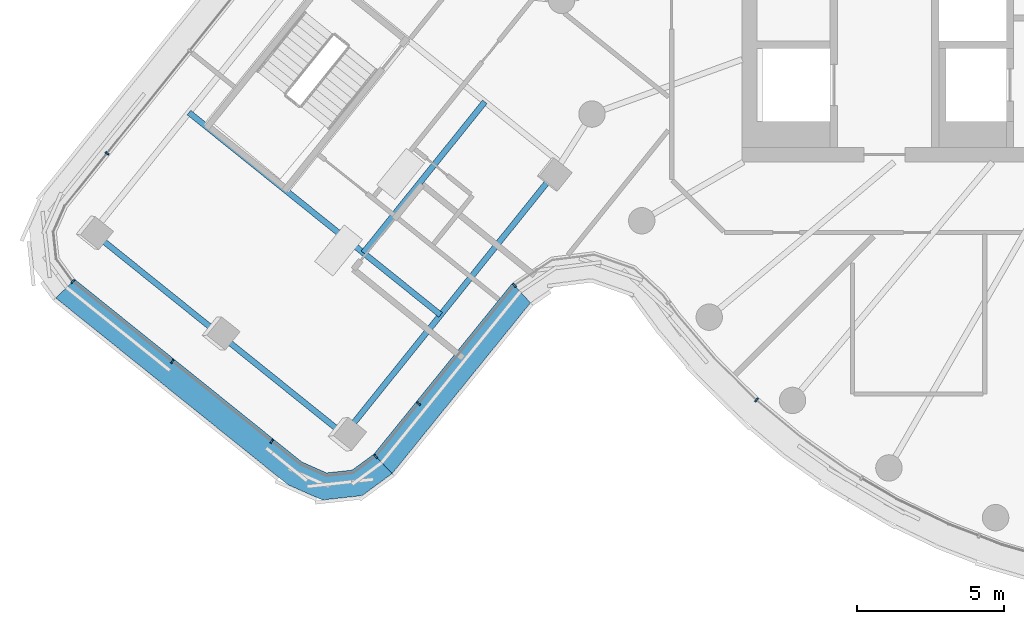
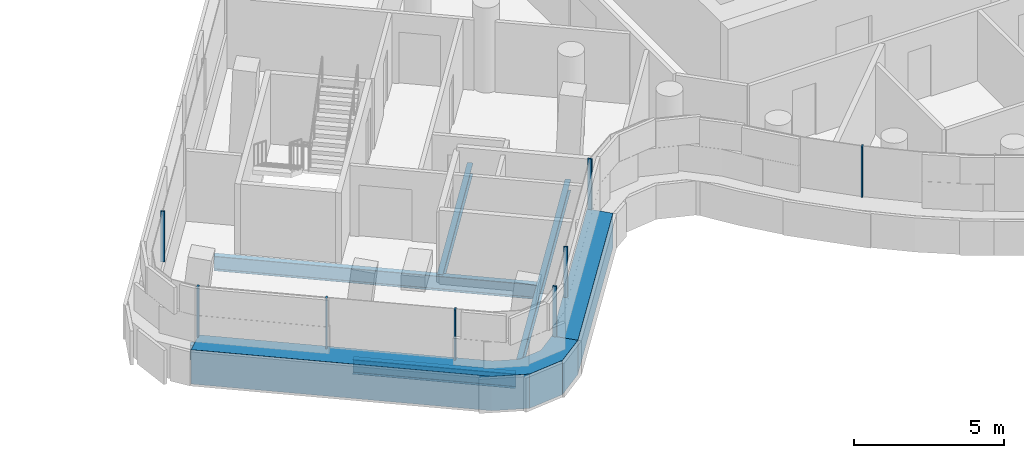
# One storey, part 2 of 25: 10 members, 5 beams, 4 elements without a shape of their own.
"""IFC4 building model written with IfcOpenShell, lengths in metres."""

from ifc_helpers import new_model, si_unit, direction, frame, origin, origin_2d, place, context, subcontext, project, spatial, polyline, rectangle, i_section, outline, extrude, material, layer, layer_set, material_profile, profile_set, type_object, element, aggregate, save


model = new_model("IFC4")

# Units and contexts
model_context = context("Model", 3, precision=1e-05, world=origin(), true_north=direction((0.0, 1.0)))
body_context = subcontext(model_context, "Body", "Model", "MODEL_VIEW")
ifc_project = project(units=[si_unit("LENGTHUNIT", "METRE"), si_unit("AREAUNIT", "SQUARE_METRE"), si_unit("VOLUMEUNIT", "CUBIC_METRE"), si_unit("PLANEANGLEUNIT", "RADIAN"), si_unit("MASSUNIT", "GRAM", prefix="KILO")], contexts=[model_context])

# Site, building, storey
site_placement = place(None, origin())
site = spatial("IfcSite", under=ifc_project, at=site_placement, CompositionType="ELEMENT")
building_placement = place(site_placement, origin())
building = spatial("IfcBuilding", under=site, at=building_placement, Name="Tamarind Cross Interchange Tower", CompositionType="ELEMENT")
storey_placement = place(building_placement, frame((0.0, 0.0, 219.89990234375)))
storey = spatial("IfcBuildingStorey", under=building, at=storey_placement, Name="L55", CompositionType="ELEMENT", Elevation=219.89990234375)

# Beams
ifc_material_1 = material(Name="Steel Q355B", Category="steel")
ifc_material_profile_1 = material_profile(ifc_material_1, i_section(OverallWidth=0.198974609375, OverallDepth=0.446044921875, WebThickness=0.008056640625, FlangeThickness=0.011962890625, FilletRadius=0.012939453125, at=origin_2d()), Name="HN 446x199x8x12")
ifc_profile_set_1 = profile_set([ifc_material_profile_1], Name="Steel Q355B")
beam_type_1 = type_object("IfcBeamType", Name="Composite beam HN 446x199x8x12 Q355B", PredefinedType="BEAM", material=ifc_profile_set_1)
beam_1_placement = place(storey_placement, frame((-30.05126953125, -18.78857421875, -0.36279296875), z_axis=(0.626672326931, 0.779282872043, 0.0), x_axis=(-0.779282872043, 0.626672326931, 0.0)))
element("IfcBeam", 1, at=beam_1_placement, inside=storey, type_object=beam_type_1, Name="Beam W-edgeep2", PredefinedType="BEAM", context=body_context, shape_type="SweptSolid", body=[
    extrude(i_section(OverallWidth=0.198974609375, OverallDepth=0.446044921875, WebThickness=0.008056640625, FlangeThickness=0.011962890625, FilletRadius=0.012939453125, at=origin_2d()), origin(), (0.0, 0.0, 1.0), 11.38720703125),
])
beam_2_placement = place(storey_placement, frame((-25.263427734375, -7.448974609375, -0.36279296875), z_axis=(-0.626664406078, -0.779289241653, 0.0), x_axis=(0.779289241653, -0.626664406078, 0.0)))
element("IfcBeam", 2, at=beam_2_placement, inside=storey, type_object=beam_type_1, Name="Beam W-stripp", PredefinedType="BEAM", context=body_context, shape_type="SweptSolid", body=[
    extrude(i_section(OverallWidth=0.198974609375, OverallDepth=0.446044921875, WebThickness=0.008056640625, FlangeThickness=0.011962890625, FilletRadius=0.012939453125, at=origin_2d()), origin(), (0.0, 0.0, 1.0), 6.60009765625),
])
ifc_material_profile_2 = material_profile(ifc_material_1, i_section(OverallWidth=0.198974609375, OverallDepth=0.595947265625, WebThickness=0.010009765625, FlangeThickness=0.014892578125, FilletRadius=0.012939453125, at=origin_2d()), Name="HN 596x199x10x15")
ifc_profile_set_2 = profile_set([ifc_material_profile_2], Name="Steel Q355B")
beam_type_2 = type_object("IfcBeamType", Name="Composite beam HN 596x199x10x15 Q355B", PredefinedType="BEAM", material=ifc_profile_set_2)
for number, where, z_axis, x_axis, name in (
    (3, (-38.62353515625, -11.895263671875, -0.43798828125), (0.779281308286, -0.626674271496, 0.0), (0.626674271496, 0.779281308286, 0.0), "Beam W-tip0"),
    (4, (-34.33740234375, -15.342041015625, -0.43798828125), (0.779302985704, -0.626647314262, 0.0), (0.626647314262, 0.779302985704, 0.0), "Beam W-tip1"),
):
    element("IfcBeam", number, at=place(storey_placement, frame(where, z_axis=z_axis, x_axis=x_axis)), inside=storey, type_object=beam_type_2, Name=name, PredefinedType="BEAM", context=body_context, shape_type="SweptSolid", body=[
        extrude(i_section(OverallWidth=0.198974609375, OverallDepth=0.595947265625, WebThickness=0.010009765625, FlangeThickness=0.014892578125, FilletRadius=0.012939453125, at=origin_2d()), origin(), (0.0, 0.0, 1.0), 5.5),
    ])
beam_3_placement = place(storey_placement, frame((-35.341552734375, -7.81396484375, -0.43798828125), z_axis=(0.779292146961, -0.62666079316, 0.0), x_axis=(0.62666079316, 0.779292146961, 0.0)))
element("IfcBeam", 5, at=beam_3_placement, inside=storey, type_object=beam_type_2, Name="Beam W-x364", PredefinedType="BEAM", context=body_context, shape_type="SweptSolid", body=[
    extrude(i_section(OverallWidth=0.198974609375, OverallDepth=0.595947265625, WebThickness=0.010009765625, FlangeThickness=0.014892578125, FilletRadius=0.012939453125, at=origin_2d()), origin(), (0.0, 0.0, 1.0), 11.0),
])

# Curtain wall, member
ifc_material_2 = material(Name="Aluminium 6063-T6", Category="aluminium")
ifc_layer_1 = layer(ifc_material_2, 0.139892578125)
ifc_layer_set_1 = layer_set([ifc_layer_1], Name="Aluminium 6063-T6")
curtain_wall_type_1 = type_object("IfcCurtainWallType", Name="Hotel curtain wall, 4.5 m bays", PredefinedType="NOTDEFINED", material=ifc_layer_set_1)
curtain_wall_1_placement = place(storey_placement, origin())
curtain_wall_1 = element("IfcCurtainWall", 6, at=curtain_wall_1_placement, inside=storey, type_object=curtain_wall_type_1, Name="CWS-L55-00", PredefinedType="NOTDEFINED")
ifc_material_3 = material(Name="Aluminium and insulated spandrel panel", Category="aluminium")
member_type_1 = type_object("IfcMemberType", Name="Floor-edge blade transom", PredefinedType="USERDEFINED", material=ifc_material_3)
member_1_placement = place(storey_placement, origin())
member_1 = element("IfcMember", 7, at=member_1_placement, type_object=member_type_1, Name="CWT-L55-00", ObjectType="TRANSOM", PredefinedType="USERDEFINED", context=body_context, shape_type="SweptSolid", body=[
    extrude(outline(polyline([(-39.222900390625, -13.501708984375), (-31.49169921875, -19.718994140625), (-30.654052734375, -20.08837890625), (-29.78466796875, -19.993896484375), (-29.045654296875, -19.453125), (-28.419677734375, -20.1103515625), (-29.44775390625, -20.86279296875), (-30.796875, -21.009033203125), (-31.96337890625, -20.494384765625), (-39.87939453125, -14.12890625), (-39.222900390625, -13.501708984375)])), origin(), (0.0, 0.0, 1.0), 1.400146484375),
])

curtain_wall_2_placement = place(storey_placement, origin())
curtain_wall_2 = element("IfcCurtainWall", 8, at=curtain_wall_2_placement, inside=storey, type_object=curtain_wall_type_1, Name="CWS-L55-01", PredefinedType="NOTDEFINED")
member_2_placement = place(storey_placement, origin())
member_2 = element("IfcMember", 9, at=member_2_placement, type_object=member_type_1, Name="CWT-L55-01", ObjectType="TRANSOM", PredefinedType="USERDEFINED", context=body_context, shape_type="SweptSolid", body=[
    extrude(outline(polyline([(-29.045654296875, -19.453125), (-24.322998046875, -13.62255859375), (-23.70849609375, -14.2939453125), (-28.419677734375, -20.1103515625), (-29.045654296875, -19.453125)])), origin(), (0.0, 0.0, 1.0), 1.400146484375),
])

# Member
ifc_material_profile_3 = material_profile(ifc_material_2, rectangle(XDim=0.06005859375, YDim=0.139892578125, at=origin_2d()), Name="Mullion CW2")
ifc_profile_set_3 = profile_set([ifc_material_profile_3], Name="Aluminium 6063-T6")
member_type_2 = type_object("IfcMemberType", Name="Mullion CW2", PredefinedType="MULLION", material=ifc_profile_set_3)
member_3_placement = place(storey_placement, frame((-39.2958984375, -13.5712890625, 1.400146484375), z_axis=(0.0, 0.0, 1.0), x_axis=(0.690821841499, -0.723025022602, 0.0)))
member_3 = element("IfcMember", 10, at=member_3_placement, type_object=member_type_2, Name="CWM-L55-00-00", PredefinedType="MULLION", context=body_context, shape_type="SweptSolid", body=[
    extrude(rectangle(XDim=0.06005859375, YDim=0.139892578125, at=origin_2d()), origin(), (0.0, 0.0, 1.0), 2.06005859375),
])

member_4_placement = place(storey_placement, frame((-35.909423828125, -16.294677734375, 1.400146484375), z_axis=(0.0, 0.0, 1.0), x_axis=(0.779285467959, -0.62666909883, 0.0)))
member_4 = element("IfcMember", 11, at=member_4_placement, type_object=member_type_2, Name="CWM-L55-00-01", PredefinedType="MULLION", context=body_context, shape_type="SweptSolid", body=[
    extrude(rectangle(XDim=0.06005859375, YDim=0.139892578125, at=origin_2d()), origin(), (0.0, 0.0, 1.0), 2.06005859375),
])

member_5_placement = place(storey_placement, frame((-32.52294921875, -19.017822265625, 1.400146484375), z_axis=(0.0, 0.0, 1.0), x_axis=(0.779285467959, -0.62666909883, 0.0)))
member_5 = element("IfcMember", 12, at=member_5_placement, type_object=member_type_2, Name="CWM-L55-00-02", PredefinedType="MULLION", context=body_context, shape_type="SweptSolid", body=[
    extrude(rectangle(XDim=0.06005859375, YDim=0.139892578125, at=origin_2d()), origin(), (0.0, 0.0, 1.0), 2.06005859375),
])

aggregate(curtain_wall_1, [member_3, member_4, member_5, member_1])

member_6_placement = place(storey_placement, frame((-28.97607421875, -19.526123046875, 1.400146484375), z_axis=(0.0, 0.0, 1.0), x_axis=(0.724238725689, 0.689549322538, 0.0)))
member_6 = element("IfcMember", 13, at=member_6_placement, type_object=member_type_2, Name="CWM-L55-01-00", PredefinedType="MULLION", context=body_context, shape_type="SweptSolid", body=[
    extrude(rectangle(XDim=0.06005859375, YDim=0.139892578125, at=origin_2d()), origin(), (0.0, 0.0, 1.0), 2.06005859375),
])

member_7_placement = place(storey_placement, frame((-27.518310546875, -17.726318359375, 1.400146484375), z_axis=(0.0, 0.0, 1.0), x_axis=(0.629405990184, 0.777076636839, 0.0)))
member_7 = element("IfcMember", 14, at=member_7_placement, type_object=member_type_2, Name="CWM-L55-01-01", PredefinedType="MULLION", context=body_context, shape_type="SweptSolid", body=[
    extrude(rectangle(XDim=0.06005859375, YDim=0.139892578125, at=origin_2d()), origin(), (0.0, 0.0, 1.0), 2.06005859375),
])

aggregate(curtain_wall_2, [member_6, member_7, member_2])

# Curtain wall, member
curtain_wall_3_placement = place(storey_placement, origin())
curtain_wall_3 = element("IfcCurtainWall", 15, at=curtain_wall_3_placement, inside=storey, type_object=curtain_wall_type_1, Name="CWS-L55-07", PredefinedType="NOTDEFINED")
member_8_placement = place(storey_placement, frame((-38.128173828125, -9.205078125, 1.400146484375), z_axis=(0.0, 0.0, 1.0), x_axis=(-0.62666909883, -0.779285467959, 0.0)))
member_8 = element("IfcMember", 16, at=member_8_placement, type_object=member_type_2, Name="CWM-L55-07-04", PredefinedType="MULLION", context=body_context, shape_type="SweptSolid", body=[
    extrude(rectangle(XDim=0.06005859375, YDim=0.139892578125, at=origin_2d()), origin(), (0.0, 0.0, 1.0), 2.06005859375),
])
aggregate(curtain_wall_3, [member_8])

# Curtain wall, members
ifc_layer_2 = layer(ifc_material_2, 0.14990234375)
ifc_layer_set_2 = layer_set([ifc_layer_2], Name="Aluminium 6063-T6")
curtain_wall_type_2 = type_object("IfcCurtainWallType", Name="Winter garden and crown curtain wall", PredefinedType="NOTDEFINED", material=ifc_layer_set_2)
curtain_wall_4_placement = place(storey_placement, origin())
curtain_wall_4 = element("IfcCurtainWall", 17, at=curtain_wall_4_placement, inside=storey, type_object=curtain_wall_type_2, Name="CWS-L55-02", PredefinedType="NOTDEFINED")
ifc_material_profile_4 = material_profile(ifc_material_2, rectangle(XDim=0.06005859375, YDim=0.14990234375, at=origin_2d()), Name="Mullion CW6")
ifc_profile_set_4 = profile_set([ifc_material_profile_4], Name="Aluminium 6063-T6")
member_type_3 = type_object("IfcMemberType", Name="Mullion CW6", PredefinedType="MULLION", material=ifc_profile_set_4)
member_9_placement = place(storey_placement, frame((-24.2548828125, -13.697265625, 1.400146484375), z_axis=(0.0, 0.0, 1.0), x_axis=(0.73755929953, 0.675282370329, 0.0)))
member_9 = element("IfcMember", 18, at=member_9_placement, type_object=member_type_3, Name="CWM-L55-02-00", PredefinedType="MULLION", context=body_context, shape_type="SweptSolid", body=[
    extrude(rectangle(XDim=0.06005859375, YDim=0.14990234375, at=origin_2d()), origin(), (0.0, 0.0, 1.0), 2.06005859375),
])
member_10_placement = place(storey_placement, frame((-16.01123046875, -17.601318359375, 1.400146484375), z_axis=(0.0, 0.0, 1.0), x_axis=(0.765858396687, -0.643009266048, 0.0)))
member_10 = element("IfcMember", 19, at=member_10_placement, type_object=member_type_3, Name="CWM-L55-02-02", PredefinedType="MULLION", context=body_context, shape_type="SweptSolid", body=[
    extrude(rectangle(XDim=0.06005859375, YDim=0.14990234375, at=origin_2d()), origin(), (0.0, 0.0, 1.0), 2.06005859375),
])
aggregate(curtain_wall_4, [member_9, member_10])

save(model, "model.ifc")
